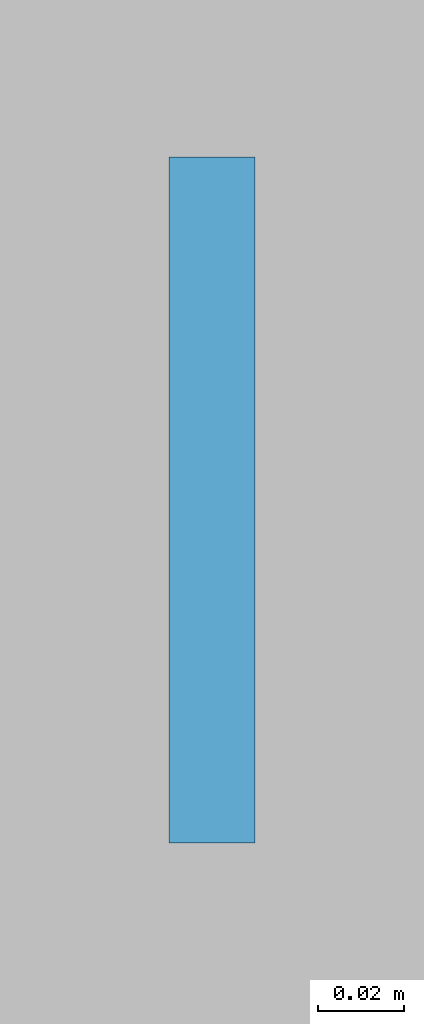
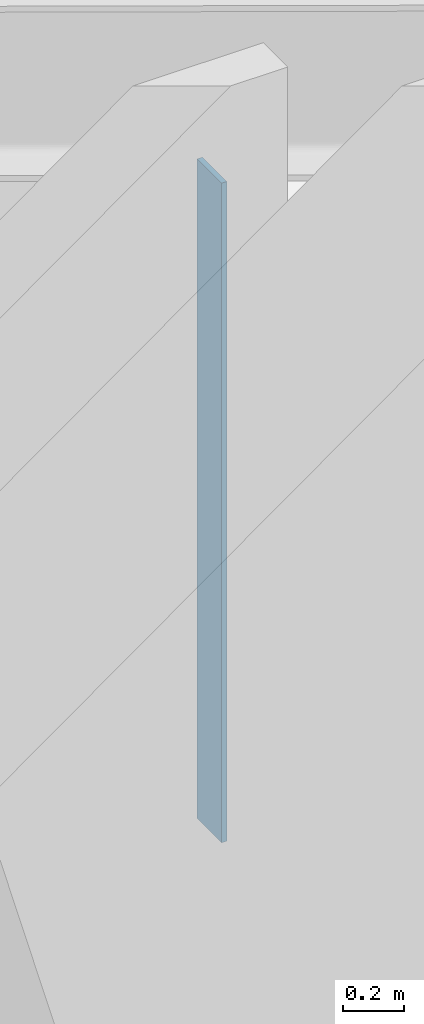
# One storey, part 5 of 12: 1 plate.
"""IFC4 building model written with IfcOpenShell, lengths in metres."""

from ifc_helpers import new_model, si_unit, direction, frame, origin, origin_2d, place, context, subcontext, project, spatial, rectangle, extrude, material, layer, layer_set, type_object, element, save


model = new_model("IFC4")

# Units and contexts
model_context = context("Model", 3, precision=1e-05, world=origin(), true_north=direction((0.0, 1.0)))
body_context = subcontext(model_context, "Body", "Model", "MODEL_VIEW")
ifc_project = project(units=[si_unit("LENGTHUNIT", "METRE"), si_unit("AREAUNIT", "SQUARE_METRE"), si_unit("VOLUMEUNIT", "CUBIC_METRE"), si_unit("PLANEANGLEUNIT", "RADIAN"), si_unit("MASSUNIT", "GRAM", prefix="KILO")], contexts=[model_context])

# Site, building, storey
site_placement = place(None, origin())
site = spatial("IfcSite", under=ifc_project, at=site_placement, CompositionType="ELEMENT")
building_placement = place(site_placement, origin())
building = spatial("IfcBuilding", under=site, at=building_placement, Name="Miruveldt Soraemaru", CompositionType="ELEMENT")
storey_placement = place(building_placement, frame((0.0, 0.0, 216.0)))
storey = spatial("IfcBuildingStorey", under=building, at=storey_placement, Name="L59", CompositionType="ELEMENT", Elevation=216.0)

# Plate
ifc_material = material(Name="Anodised aluminium EN AW-6063 T6", Category="aluminium")
ifc_layer = layer(ifc_material, 0.02001953125, Name="Anodised aluminium EN AW-6063 T6", Category="aluminium")
ifc_layer_set = layer_set([ifc_layer], Name="Anodised aluminium EN AW-6063 T6")
plate_type = type_object("IfcPlateType", Name="PLT-PART-TRIM", PredefinedType="SHEET", material=ifc_layer_set)
plate_placement = place(storey_placement, frame((51.093994140625, 53.465087890625, 0.0), z_axis=(0.0, 0.0, 1.0), x_axis=(0.0, -1.0, 0.0)))
element("IfcPlate", 1, at=plate_placement, inside=storey, type_object=plate_type, Name="L59 Partition Step Corner Trim Plate 048", PredefinedType="SHEET", context=body_context, shape_type="SweptSolid", body=[
    extrude(rectangle(XDim=0.159912109375, YDim=0.02001953125, at=origin_2d()), origin(), (0.0, 0.0, 1.0), 2.633056640625),
])

save(model, "model.ifc")
